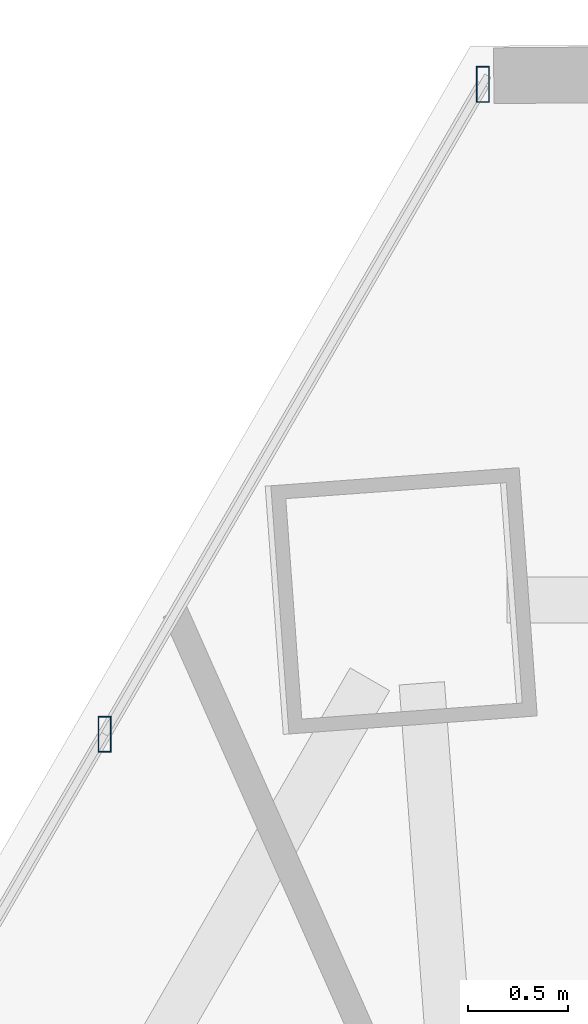
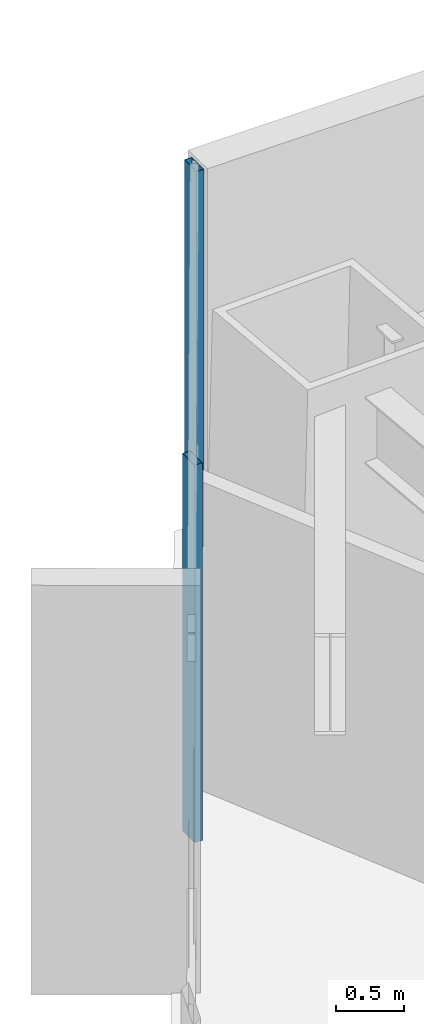
# One storey, part 25 of 34: 2 members, 1 element without a shape of its own.
"""IFC4 building model written with IfcOpenShell, lengths in metres."""

from ifc_helpers import new_model, si_unit, direction, frame, origin, origin_2d, place, context, subcontext, project, spatial, hollow_rectangle, extrude, source, transform, mapped, material, material_profile, profile_set, type_object, type_shapes, element, aggregate, save


model = new_model("IFC4")

# Units and contexts
model_context = context("Model", 3, precision=1e-05, world=origin(), true_north=direction((0.0, 1.0)))
body_context = subcontext(model_context, "Body", "Model", "MODEL_VIEW")
ifc_project = project(units=[si_unit("LENGTHUNIT", "METRE"), si_unit("AREAUNIT", "SQUARE_METRE"), si_unit("VOLUMEUNIT", "CUBIC_METRE"), si_unit("PLANEANGLEUNIT", "RADIAN"), si_unit("MASSUNIT", "GRAM", prefix="KILO")], contexts=[model_context])

# Site, building, storey
site_placement = place(None, origin())
site = spatial("IfcSite", under=ifc_project, at=site_placement, CompositionType="ELEMENT")
building_placement = place(site_placement, origin())
building = spatial("IfcBuilding", under=site, at=building_placement, Name="Caelisora Broadcast Tower", CompositionType="ELEMENT")
storey_placement = place(building_placement, frame((0.0, 0.0, 49.5)))
storey = spatial("IfcBuildingStorey", under=building, at=storey_placement, Name="L12", CompositionType="ELEMENT", Elevation=49.5)

# Curtain wall, members
ifc_material_1 = material(Name="Unitised Aluminium and Low-E Glass Curtain Wall", Category="glass")
curtain_wall_type = type_object("IfcCurtainWallType", Name="CW-Z1", PredefinedType="NOTDEFINED", material=ifc_material_1)
curtain_wall_placement = place(storey_placement, origin())
curtain_wall = element("IfcCurtainWall", 1, at=curtain_wall_placement, inside=storey, type_object=curtain_wall_type, Name="L12 curtain wall CW-Z1", PredefinedType="NOTDEFINED")
ifc_material_2 = material(Name="Aluminium 6063-T6 Anodised Terracotta Bronze", Category="aluminium")
ifc_material_profile = material_profile(ifc_material_2, hollow_rectangle(XDim=0.06494140625, YDim=0.179931640625, WallThickness=0.00341796875, at=origin_2d()), Name="Aluminium 6063-T6 Anodised Terracotta Bronze")
ifc_profile_set = profile_set([ifc_material_profile], Name="Aluminium 6063-T6 Anodised Terracotta Bronze")
member_type = type_object("IfcMemberType", Name="CWM-02", PredefinedType="MULLION", material=ifc_profile_set)
shared_shape = source(origin(), body_context, "Body", "SweptSolid", [
    extrude(hollow_rectangle(XDim=0.06494140625, YDim=0.179931640625, WallThickness=0.00341796875, at=origin_2d()), origin(), (0.0, 0.0, 1.0), 3.39990234375),
])
type_shapes(member_type, [shared_shape])
member_1_placement = place(storey_placement, frame((27.73681640625, 45.642578125, 0.0), z_axis=(0.0, 0.0, 1.0), x_axis=(1.0, 0.0, 0.0)))
member_1 = element("IfcMember", 2, at=member_1_placement, type_object=member_type, Name="L12-CW-B11 mullion #2", PredefinedType="MULLION", context=body_context, shape_type="MappedRepresentation", body=[
    mapped(shared_shape, transform((0.0, 0.0, 0.0), scale=1.0)),
])
member_2_placement = place(storey_placement, frame((29.635986328125, 48.90673828125, 0.0), z_axis=(0.0, 0.0, 1.0), x_axis=(1.0, 0.0, 0.0)))
member_2 = element("IfcMember", 3, at=member_2_placement, type_object=member_type, Name="L12-CW-B11 mullion #3", PredefinedType="MULLION", context=body_context, shape_type="MappedRepresentation", body=[
    mapped(shared_shape, transform((0.0, 0.0, 0.0), scale=1.0)),
])
aggregate(curtain_wall, [member_1, member_2])

save(model, "model.ifc")
